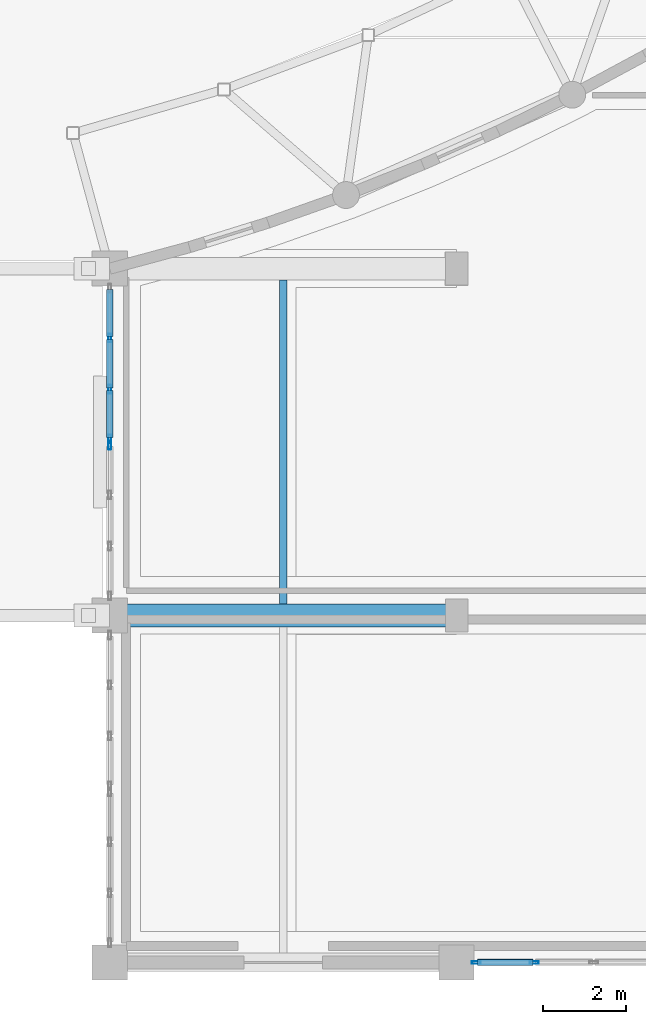
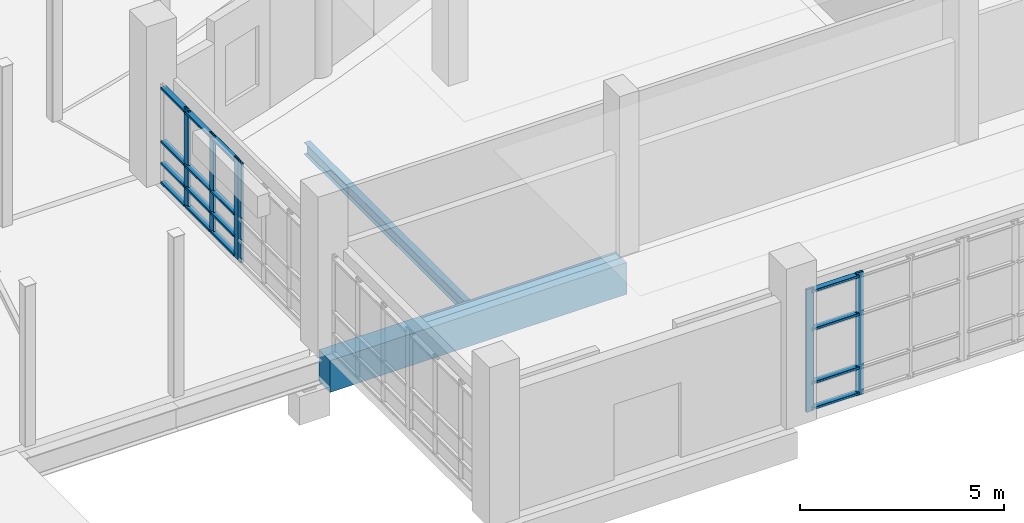
# One storey, part 24 of 97: 22 members, 2 beams, 3 elements without a shape of their own.
"""IFC4 building model written with IfcOpenShell, lengths in metres."""

from ifc_helpers import new_model, si_unit, direction, frame, origin, origin_2d, place, context, subcontext, project, spatial, rectangle, hollow_rectangle, i_section, extrude, material, layer, layer_set, material_profile, profile_set, type_object, element, aggregate, save


model = new_model("IFC4")

# Units and contexts
model_context = context("Model", 3, precision=1e-05, world=origin(), true_north=direction((0.0, 1.0)))
body_context = subcontext(model_context, "Body", "Model", "MODEL_VIEW")
ifc_project = project(units=[si_unit("LENGTHUNIT", "METRE"), si_unit("AREAUNIT", "SQUARE_METRE"), si_unit("VOLUMEUNIT", "CUBIC_METRE"), si_unit("PLANEANGLEUNIT", "RADIAN"), si_unit("MASSUNIT", "GRAM", prefix="KILO")], contexts=[model_context])

# Site, building, storey
site_placement = place(None, origin())
site = spatial("IfcSite", under=ifc_project, at=site_placement, CompositionType="ELEMENT")
building_placement = place(site_placement, origin())
building = spatial("IfcBuilding", under=site, at=building_placement, Name="Kisaragi Civic Commons", CompositionType="ELEMENT")
storey_placement = place(building_placement, origin())
storey = spatial("IfcBuildingStorey", under=building, at=storey_placement, Name="L00", CompositionType="ELEMENT", Elevation=0.0)

# Curtain wall, members
ifc_material_1 = material(Name="Thermally broken anodized aluminium and low-E double glazing", Category="aluminium")
ifc_layer = layer(ifc_material_1, 0.2099609375, Name="Thermally broken anodized aluminium and low-E double glazing", Category="aluminium")
ifc_layer_set = layer_set([ifc_layer], Name="Thermally broken anodized aluminium and low-E double glazing")
curtain_wall_type = type_object("IfcCurtainWallType", Name="CW-02", PredefinedType="NOTDEFINED", material=ifc_layer_set)
curtain_wall_1_placement = place(storey_placement, origin())
curtain_wall_1 = element("IfcCurtainWall", 1, at=curtain_wall_1_placement, inside=storey, type_object=curtain_wall_type, Name="L00 curtain wall CW-02 CW-V3-L00-014", PredefinedType="NOTDEFINED")
ifc_material_profile_1 = material_profile(ifc_material_1, hollow_rectangle(XDim=0.070068359375, YDim=0.2099609375, WallThickness=0.0048828125, InnerFilletRadius=0.0048828125, OuterFilletRadius=0.010009765625, at=origin_2d()), Name="CWM-70x210x5", Category="aluminium")
ifc_profile_set_1 = profile_set([ifc_material_profile_1], Name="Thermally broken anodized aluminium and low-E double glazing")
member_type_1 = type_object("IfcMemberType", Name="CWM-03", PredefinedType="MULLION", material=ifc_profile_set_1)
member_1_placement = place(storey_placement, frame((115.8798828125, 0.0, 0.0), z_axis=(0.0, 0.0, 1.0), x_axis=(0.0, -1.0, 0.0)))
member_1 = element("IfcMember", 2, at=member_1_placement, type_object=member_type_1, Name="CW-02 mullion 3", PredefinedType="MULLION", context=body_context, shape_type="SweptSolid", body=[
    extrude(hollow_rectangle(XDim=0.070068359375, YDim=0.2099609375, WallThickness=0.0048828125, InnerFilletRadius=0.0048828125, OuterFilletRadius=0.010009765625, at=origin_2d()), origin(), (0.0, 0.0, 1.0), 3.669921875),
])
member_2_placement = place(storey_placement, frame((114.47509765625, 0.0, 0.0), z_axis=(0.0, 0.0, 1.0), x_axis=(0.0, -1.0, 0.0)))
member_2 = element("IfcMember", 3, at=member_2_placement, type_object=member_type_1, Name="CW-02 mullion 4", PredefinedType="MULLION", context=body_context, shape_type="SweptSolid", body=[
    extrude(hollow_rectangle(XDim=0.070068359375, YDim=0.2099609375, WallThickness=0.0048828125, InnerFilletRadius=0.0048828125, OuterFilletRadius=0.010009765625, at=origin_2d()), origin(), (0.0, 0.0, 1.0), 3.669921875),
])

# Curtain wall, member
curtain_wall_2_placement = place(storey_placement, origin())
curtain_wall_2 = element("IfcCurtainWall", 4, at=curtain_wall_2_placement, inside=storey, type_object=curtain_wall_type, Name="L00 curtain wall CW-02 CW-V3-L00-017", PredefinedType="NOTDEFINED")
member_3_placement = place(storey_placement, frame((105.60009765625, 12.52490234375, 0.0), z_axis=(0.0, 0.0, 1.0), x_axis=(-1.0, 0.0, 0.0)))
member_3 = element("IfcMember", 5, at=member_3_placement, type_object=member_type_1, Name="CW-02 mullion 4", PredefinedType="MULLION", context=body_context, shape_type="SweptSolid", body=[
    extrude(hollow_rectangle(XDim=0.070068359375, YDim=0.2099609375, WallThickness=0.0048828125, InnerFilletRadius=0.0048828125, OuterFilletRadius=0.010009765625, at=origin_2d()), origin(), (0.0, 0.0, 1.0), 2.97998046875),
])
aggregate(curtain_wall_2, [member_3])

# Curtain wall, members
curtain_wall_3_placement = place(storey_placement, origin())
curtain_wall_3 = element("IfcCurtainWall", 6, at=curtain_wall_3_placement, inside=storey, type_object=curtain_wall_type, Name="L00 curtain wall CW-02 CW-V3-L00-018", PredefinedType="NOTDEFINED")
member_4_placement = place(storey_placement, frame((105.60009765625, 12.675048828125, 0.0), z_axis=(0.0, 0.0, 1.0), x_axis=(-1.0, 0.0, 0.0)))
member_4 = element("IfcMember", 7, at=member_4_placement, type_object=member_type_1, Name="CW-02 mullion 1", PredefinedType="MULLION", context=body_context, shape_type="SweptSolid", body=[
    extrude(hollow_rectangle(XDim=0.070068359375, YDim=0.2099609375, WallThickness=0.0048828125, InnerFilletRadius=0.0048828125, OuterFilletRadius=0.010009765625, at=origin_2d()), origin(), (0.0, 0.0, 1.0), 2.97998046875),
])
member_5_placement = place(storey_placement, frame((105.60009765625, 13.8798828125, 0.0), z_axis=(0.0, 0.0, 1.0), x_axis=(-1.0, 0.0, 0.0)))
member_5 = element("IfcMember", 8, at=member_5_placement, type_object=member_type_1, Name="CW-02 mullion 2", PredefinedType="MULLION", context=body_context, shape_type="SweptSolid", body=[
    extrude(hollow_rectangle(XDim=0.070068359375, YDim=0.2099609375, WallThickness=0.0048828125, InnerFilletRadius=0.0048828125, OuterFilletRadius=0.010009765625, at=origin_2d()), origin(), (0.0, 0.0, 1.0), 2.97998046875),
])
member_6_placement = place(storey_placement, frame((105.60009765625, 15.1201171875, 0.0), z_axis=(0.0, 0.0, 1.0), x_axis=(-1.0, 0.0, 0.0)))
member_6 = element("IfcMember", 9, at=member_6_placement, type_object=member_type_1, Name="CW-02 mullion 3", PredefinedType="MULLION", context=body_context, shape_type="SweptSolid", body=[
    extrude(hollow_rectangle(XDim=0.070068359375, YDim=0.2099609375, WallThickness=0.0048828125, InnerFilletRadius=0.0048828125, OuterFilletRadius=0.010009765625, at=origin_2d()), origin(), (0.0, 0.0, 1.0), 2.97998046875),
])

# Member
ifc_material_profile_2 = material_profile(ifc_material_1, hollow_rectangle(XDim=0.159912109375, YDim=0.070068359375, WallThickness=0.0048828125, InnerFilletRadius=0.0048828125, OuterFilletRadius=0.010009765625, at=origin_2d()), Name="CWT-70x160x5", Category="aluminium")
ifc_profile_set_2 = profile_set([ifc_material_profile_2], Name="Thermally broken anodized aluminium and low-E double glazing")
member_type_2 = type_object("IfcMemberType", Name="CWT-03", PredefinedType="USERDEFINED", material=ifc_profile_set_2)
member_7_placement = place(storey_placement, frame((115.844970703125, 0.0, 0.080078125), z_axis=(-1.0, 0.0, 0.0), x_axis=(0.0, -1.0, 0.0)))
member_7 = element("IfcMember", 10, at=member_7_placement, type_object=member_type_2, Name="CW-02 transom 3.1", ObjectType="TRANSOM", PredefinedType="USERDEFINED", context=body_context, shape_type="SweptSolid", body=[
    extrude(hollow_rectangle(XDim=0.159912109375, YDim=0.070068359375, WallThickness=0.0048828125, InnerFilletRadius=0.0048828125, OuterFilletRadius=0.010009765625, at=origin_2d()), origin(), (0.0, 0.0, 1.0), 1.3349609375),
])

member_8_placement = place(storey_placement, frame((115.844970703125, 0.0, 0.85009765625), z_axis=(-1.0, 0.0, 0.0), x_axis=(0.0, -1.0, 0.0)))
member_8 = element("IfcMember", 11, at=member_8_placement, type_object=member_type_2, Name="CW-02 transom 3.2", ObjectType="TRANSOM", PredefinedType="USERDEFINED", context=body_context, shape_type="SweptSolid", body=[
    extrude(hollow_rectangle(XDim=0.159912109375, YDim=0.070068359375, WallThickness=0.0048828125, InnerFilletRadius=0.0048828125, OuterFilletRadius=0.010009765625, at=origin_2d()), origin(), (0.0, 0.0, 1.0), 1.3349609375),
])

member_9_placement = place(storey_placement, frame((115.844970703125, 0.0, 2.449951171875), z_axis=(-1.0, 0.0, 0.0), x_axis=(0.0, -1.0, 0.0)))
member_9 = element("IfcMember", 12, at=member_9_placement, type_object=member_type_2, Name="CW-02 transom 3.3", ObjectType="TRANSOM", PredefinedType="USERDEFINED", context=body_context, shape_type="SweptSolid", body=[
    extrude(hollow_rectangle(XDim=0.159912109375, YDim=0.070068359375, WallThickness=0.0048828125, InnerFilletRadius=0.0048828125, OuterFilletRadius=0.010009765625, at=origin_2d()), origin(), (0.0, 0.0, 1.0), 1.3349609375),
])

member_10_placement = place(storey_placement, frame((115.844970703125, 0.0, 3.590087890625), z_axis=(-1.0, 0.0, 0.0), x_axis=(0.0, -1.0, 0.0)))
member_10 = element("IfcMember", 13, at=member_10_placement, type_object=member_type_2, Name="CW-02 transom 3.4", ObjectType="TRANSOM", PredefinedType="USERDEFINED", context=body_context, shape_type="SweptSolid", body=[
    extrude(hollow_rectangle(XDim=0.159912109375, YDim=0.070068359375, WallThickness=0.0048828125, InnerFilletRadius=0.0048828125, OuterFilletRadius=0.010009765625, at=origin_2d()), origin(), (0.0, 0.0, 1.0), 1.3349609375),
])

aggregate(curtain_wall_1, [member_1, member_2, member_7, member_8, member_9, member_10])

member_11_placement = place(storey_placement, frame((105.60009765625, 12.7099609375, 0.080078125), z_axis=(0.0, 1.0, 0.0), x_axis=(-1.0, 0.0, 0.0)))
member_11 = element("IfcMember", 14, at=member_11_placement, type_object=member_type_2, Name="CW-02 transom 1.1", ObjectType="TRANSOM", PredefinedType="USERDEFINED", context=body_context, shape_type="SweptSolid", body=[
    extrude(hollow_rectangle(XDim=0.159912109375, YDim=0.070068359375, WallThickness=0.0048828125, InnerFilletRadius=0.0048828125, OuterFilletRadius=0.010009765625, at=origin_2d()), origin(), (0.0, 0.0, 1.0), 1.135009765625),
])

member_12_placement = place(storey_placement, frame((105.60009765625, 12.7099609375, 0.64990234375), z_axis=(0.0, 1.0, 0.0), x_axis=(-1.0, 0.0, 0.0)))
member_12 = element("IfcMember", 15, at=member_12_placement, type_object=member_type_2, Name="CW-02 transom 1.2", ObjectType="TRANSOM", PredefinedType="USERDEFINED", context=body_context, shape_type="SweptSolid", body=[
    extrude(hollow_rectangle(XDim=0.159912109375, YDim=0.070068359375, WallThickness=0.0048828125, InnerFilletRadius=0.0048828125, OuterFilletRadius=0.010009765625, at=origin_2d()), origin(), (0.0, 0.0, 1.0), 1.135009765625),
])

member_13_placement = place(storey_placement, frame((105.60009765625, 12.7099609375, 1.300048828125), z_axis=(0.0, 1.0, 0.0), x_axis=(-1.0, 0.0, 0.0)))
member_13 = element("IfcMember", 16, at=member_13_placement, type_object=member_type_2, Name="CW-02 transom 1.3", ObjectType="TRANSOM", PredefinedType="USERDEFINED", context=body_context, shape_type="SweptSolid", body=[
    extrude(hollow_rectangle(XDim=0.159912109375, YDim=0.070068359375, WallThickness=0.0048828125, InnerFilletRadius=0.0048828125, OuterFilletRadius=0.010009765625, at=origin_2d()), origin(), (0.0, 0.0, 1.0), 1.135009765625),
])

member_14_placement = place(storey_placement, frame((105.60009765625, 12.7099609375, 2.89990234375), z_axis=(0.0, 1.0, 0.0), x_axis=(-1.0, 0.0, 0.0)))
member_14 = element("IfcMember", 17, at=member_14_placement, type_object=member_type_2, Name="CW-02 transom 1.4", ObjectType="TRANSOM", PredefinedType="USERDEFINED", context=body_context, shape_type="SweptSolid", body=[
    extrude(hollow_rectangle(XDim=0.159912109375, YDim=0.070068359375, WallThickness=0.0048828125, InnerFilletRadius=0.0048828125, OuterFilletRadius=0.010009765625, at=origin_2d()), origin(), (0.0, 0.0, 1.0), 1.135009765625),
])

member_15_placement = place(storey_placement, frame((105.60009765625, 13.9150390625, 0.080078125), z_axis=(0.0, 1.0, 0.0), x_axis=(-1.0, 0.0, 0.0)))
member_15 = element("IfcMember", 18, at=member_15_placement, type_object=member_type_2, Name="CW-02 transom 2.1", ObjectType="TRANSOM", PredefinedType="USERDEFINED", context=body_context, shape_type="SweptSolid", body=[
    extrude(hollow_rectangle(XDim=0.159912109375, YDim=0.070068359375, WallThickness=0.0048828125, InnerFilletRadius=0.0048828125, OuterFilletRadius=0.010009765625, at=origin_2d()), origin(), (0.0, 0.0, 1.0), 1.169921875),
])

member_16_placement = place(storey_placement, frame((105.60009765625, 13.9150390625, 0.64990234375), z_axis=(0.0, 1.0, 0.0), x_axis=(-1.0, 0.0, 0.0)))
member_16 = element("IfcMember", 19, at=member_16_placement, type_object=member_type_2, Name="CW-02 transom 2.2", ObjectType="TRANSOM", PredefinedType="USERDEFINED", context=body_context, shape_type="SweptSolid", body=[
    extrude(hollow_rectangle(XDim=0.159912109375, YDim=0.070068359375, WallThickness=0.0048828125, InnerFilletRadius=0.0048828125, OuterFilletRadius=0.010009765625, at=origin_2d()), origin(), (0.0, 0.0, 1.0), 1.169921875),
])

member_17_placement = place(storey_placement, frame((105.60009765625, 13.9150390625, 1.300048828125), z_axis=(0.0, 1.0, 0.0), x_axis=(-1.0, 0.0, 0.0)))
member_17 = element("IfcMember", 20, at=member_17_placement, type_object=member_type_2, Name="CW-02 transom 2.3", ObjectType="TRANSOM", PredefinedType="USERDEFINED", context=body_context, shape_type="SweptSolid", body=[
    extrude(hollow_rectangle(XDim=0.159912109375, YDim=0.070068359375, WallThickness=0.0048828125, InnerFilletRadius=0.0048828125, OuterFilletRadius=0.010009765625, at=origin_2d()), origin(), (0.0, 0.0, 1.0), 1.169921875),
])

member_18_placement = place(storey_placement, frame((105.60009765625, 13.9150390625, 2.89990234375), z_axis=(0.0, 1.0, 0.0), x_axis=(-1.0, 0.0, 0.0)))
member_18 = element("IfcMember", 21, at=member_18_placement, type_object=member_type_2, Name="CW-02 transom 2.4", ObjectType="TRANSOM", PredefinedType="USERDEFINED", context=body_context, shape_type="SweptSolid", body=[
    extrude(hollow_rectangle(XDim=0.159912109375, YDim=0.070068359375, WallThickness=0.0048828125, InnerFilletRadius=0.0048828125, OuterFilletRadius=0.010009765625, at=origin_2d()), origin(), (0.0, 0.0, 1.0), 1.169921875),
])

member_19_placement = place(storey_placement, frame((105.60009765625, 15.155029296875, 0.080078125), z_axis=(0.0, 1.0, 0.0), x_axis=(-1.0, 0.0, 0.0)))
member_19 = element("IfcMember", 22, at=member_19_placement, type_object=member_type_2, Name="CW-02 transom 3.1", ObjectType="TRANSOM", PredefinedType="USERDEFINED", context=body_context, shape_type="SweptSolid", body=[
    extrude(hollow_rectangle(XDim=0.159912109375, YDim=0.070068359375, WallThickness=0.0048828125, InnerFilletRadius=0.0048828125, OuterFilletRadius=0.010009765625, at=origin_2d()), origin(), (0.0, 0.0, 1.0), 1.135009765625),
])

member_20_placement = place(storey_placement, frame((105.60009765625, 15.155029296875, 0.64990234375), z_axis=(0.0, 1.0, 0.0), x_axis=(-1.0, 0.0, 0.0)))
member_20 = element("IfcMember", 23, at=member_20_placement, type_object=member_type_2, Name="CW-02 transom 3.2", ObjectType="TRANSOM", PredefinedType="USERDEFINED", context=body_context, shape_type="SweptSolid", body=[
    extrude(hollow_rectangle(XDim=0.159912109375, YDim=0.070068359375, WallThickness=0.0048828125, InnerFilletRadius=0.0048828125, OuterFilletRadius=0.010009765625, at=origin_2d()), origin(), (0.0, 0.0, 1.0), 1.135009765625),
])

member_21_placement = place(storey_placement, frame((105.60009765625, 15.155029296875, 1.300048828125), z_axis=(0.0, 1.0, 0.0), x_axis=(-1.0, 0.0, 0.0)))
member_21 = element("IfcMember", 24, at=member_21_placement, type_object=member_type_2, Name="CW-02 transom 3.3", ObjectType="TRANSOM", PredefinedType="USERDEFINED", context=body_context, shape_type="SweptSolid", body=[
    extrude(hollow_rectangle(XDim=0.159912109375, YDim=0.070068359375, WallThickness=0.0048828125, InnerFilletRadius=0.0048828125, OuterFilletRadius=0.010009765625, at=origin_2d()), origin(), (0.0, 0.0, 1.0), 1.135009765625),
])

member_22_placement = place(storey_placement, frame((105.60009765625, 15.155029296875, 2.89990234375), z_axis=(0.0, 1.0, 0.0), x_axis=(-1.0, 0.0, 0.0)))
member_22 = element("IfcMember", 25, at=member_22_placement, type_object=member_type_2, Name="CW-02 transom 3.4", ObjectType="TRANSOM", PredefinedType="USERDEFINED", context=body_context, shape_type="SweptSolid", body=[
    extrude(hollow_rectangle(XDim=0.159912109375, YDim=0.070068359375, WallThickness=0.0048828125, InnerFilletRadius=0.0048828125, OuterFilletRadius=0.010009765625, at=origin_2d()), origin(), (0.0, 0.0, 1.0), 1.135009765625),
])

aggregate(curtain_wall_3, [member_4, member_5, member_6, member_11, member_12, member_13, member_14, member_15, member_16, member_17, member_18, member_19, member_20, member_21, member_22])

# Beams
ifc_material_2 = material(Name="Concrete Fc36", Category="concrete")
ifc_material_profile_3 = material_profile(ifc_material_2, rectangle(XDim=0.550048828125, YDim=0.949951171875, at=origin_2d()), Name="RC-550x950", Category="concrete")
ifc_profile_set_3 = profile_set([ifc_material_profile_3], Name="Concrete Fc36")
beam_type_1 = type_object("IfcBeamType", Name="G-01", PredefinedType="BEAM", material=ifc_profile_set_3)
beam_1_placement = place(storey_placement, frame((105.60009765625, 8.39990234375, -0.800048828125), z_axis=(1.0, 0.0, 0.0), x_axis=(0.0, 1.0, 0.0)))
element("IfcBeam", 26, at=beam_1_placement, inside=storey, type_object=beam_type_1, Name="L00 girder G-01 93", PredefinedType="BEAM", context=body_context, shape_type="SweptSolid", body=[
    extrude(rectangle(XDim=0.550048828125, YDim=0.949951171875, at=origin_2d()), origin(), (0.0, 0.0, 1.0), 8.39990234375),
])
ifc_material_3 = material(Name="Steel SN400 (SN400B)", Category="steel")
ifc_material_profile_4 = material_profile(ifc_material_3, i_section(OverallWidth=0.175048828125, OverallDepth=0.35009765625, WebThickness=0.007080078125, FlangeThickness=0.010986328125, FilletRadius=0.012939453125, at=origin_2d()), Name="H-350x175x7x11", Category="steel")
ifc_profile_set_4 = profile_set([ifc_material_profile_4], Name="Steel SN400 (SN400B)")
beam_type_2 = type_object("IfcBeamType", Name="J-02", PredefinedType="JOIST", material=ifc_profile_set_4)
beam_2_placement = place(storey_placement, frame((109.800048828125, 8.675048828125, -0.5), z_axis=(0.0, 1.0, 0.0), x_axis=(-1.0, 0.0, 0.0)))
element("IfcBeam", 27, at=beam_2_placement, inside=storey, type_object=beam_type_2, Name="L00 secondary steel joist J-02 20", PredefinedType="JOIST", context=body_context, shape_type="SweptSolid", body=[
    extrude(i_section(OverallWidth=0.175048828125, OverallDepth=0.35009765625, WebThickness=0.007080078125, FlangeThickness=0.010986328125, FilletRadius=0.012939453125, at=origin_2d()), origin(), (0.0, 0.0, 1.0), 7.849853515625),
])

save(model, "model.ifc")
